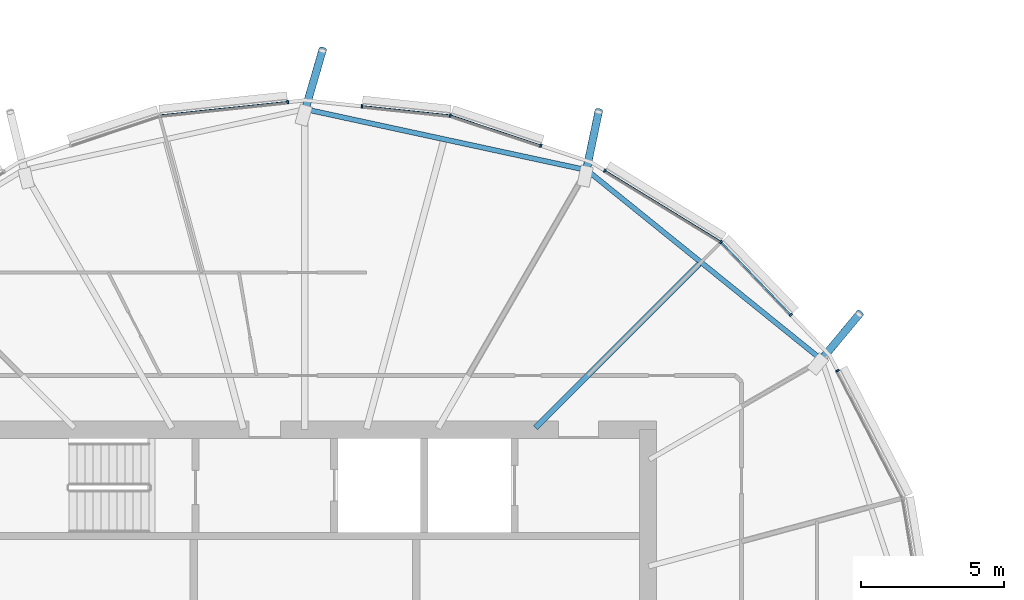
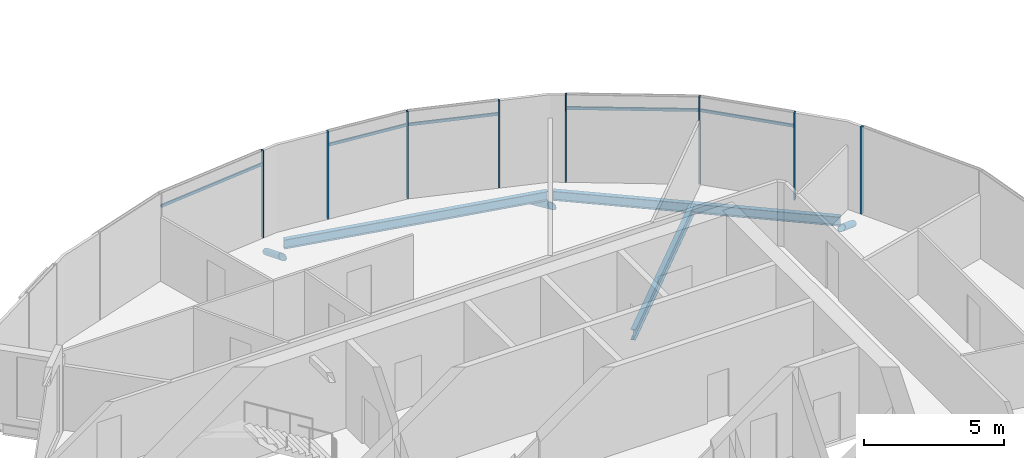
# One storey, part 11 of 38: 16 members, 3 beams, 1 element without a shape of its own.
"""IFC4 building model written with IfcOpenShell, lengths in metres."""

from ifc_helpers import new_model, si_unit, direction, frame, origin, origin_2d, place, context, subcontext, project, spatial, rectangle, hollow_circle, i_section, extrude, clip, halfspace, material, material_profile, profile_set, type_object, element, aggregate, save


model = new_model("IFC4")

# Units and contexts
model_context = context("Model", 3, precision=1e-05, world=origin(), true_north=direction((0.0, 1.0)))
body_context = subcontext(model_context, "Body", "Model", "MODEL_VIEW")
ifc_project = project(units=[si_unit("LENGTHUNIT", "METRE"), si_unit("AREAUNIT", "SQUARE_METRE"), si_unit("VOLUMEUNIT", "CUBIC_METRE"), si_unit("PLANEANGLEUNIT", "RADIAN"), si_unit("MASSUNIT", "GRAM", prefix="KILO")], contexts=[model_context])

# Site, building, storey
site_placement = place(None, origin())
site = spatial("IfcSite", under=ifc_project, at=site_placement, CompositionType="ELEMENT")
building_placement = place(site_placement, origin())
building = spatial("IfcBuilding", under=site, at=building_placement, Name="Rimbun Link Towers", CompositionType="ELEMENT")
storey_placement = place(building_placement, frame((0.0, 0.0, 185.5)))
storey = spatial("IfcBuildingStorey", under=building, at=storey_placement, Name="L45", CompositionType="ELEMENT", Elevation=185.5)

# Curtain wall, members
ifc_material_1 = material(Name="Aluminium 6063-T6 and low-iron glass", Category="aluminium")
curtain_wall_type = type_object("IfcCurtainWallType", Name="CW1-Z3 unitised vision wall (zone 3)", PredefinedType="NOTDEFINED", material=ifc_material_1)
curtain_wall_placement = place(storey_placement, origin())
curtain_wall = element("IfcCurtainWall", 1, at=curtain_wall_placement, inside=storey, type_object=curtain_wall_type, Name="CW1 L45 T1", PredefinedType="NOTDEFINED")
ifc_material_2 = material(Name="Aluminium 6063-T6", Category="aluminium")
ifc_material_profile_1 = material_profile(ifc_material_2, rectangle(XDim=0.1201171875, YDim=0.06005859375, at=origin_2d()), Name="MULLION 60X120")
ifc_profile_set_1 = profile_set([ifc_material_profile_1], Name="Aluminium 6063-T6")
member_type_1 = type_object("IfcMemberType", Name="CW1 mullion 60X120", PredefinedType="MULLION", material=ifc_profile_set_1)
member_1_placement = place(storey_placement, frame((-13.114013671875, 10.064208984375, 0.0), z_axis=(0.0, 0.0, 1.0), x_axis=(0.88814980284, 0.459554053094, 0.0)))
member_1 = element("IfcMember", 2, at=member_1_placement, type_object=member_type_1, Name="CW1 mullion", PredefinedType="MULLION", context=body_context, shape_type="SweptSolid", body=[
    extrude(rectangle(XDim=0.1201171875, YDim=0.06005859375, at=origin_2d()), origin(), (0.0, 0.0, 1.0), 3.800048828125),
])
member_2_placement = place(storey_placement, frame((-17.192626953125, 14.56640625, 0.0), z_axis=(0.0, 0.0, 1.0), x_axis=(0.627666301152, 0.778482507445, 0.0)))
member_2 = element("IfcMember", 3, at=member_2_placement, type_object=member_type_1, Name="CW1 mullion", PredefinedType="MULLION", context=body_context, shape_type="SweptSolid", body=[
    extrude(rectangle(XDim=0.1201171875, YDim=0.06005859375, at=origin_2d()), origin(), (0.0, 0.0, 1.0), 3.800048828125),
])
member_3_placement = place(storey_placement, frame((-14.749267578125, 12.018798828125, 0.0), z_axis=(0.0, 0.0, 1.0), x_axis=(0.721842893583, 0.692056960795, 0.0)))
member_3 = element("IfcMember", 4, at=member_3_placement, type_object=member_type_1, Name="CW1 mullion", PredefinedType="MULLION", context=body_context, shape_type="SweptSolid", body=[
    extrude(rectangle(XDim=0.1201171875, YDim=0.06005859375, at=origin_2d()), origin(), (0.0, 0.0, 1.0), 3.800048828125),
])
member_4_placement = place(storey_placement, frame((-21.2607421875, 17.06494140625, 0.0), z_axis=(0.0, 0.0, 1.0), x_axis=(0.523234516531, 0.852188735381, 0.0)))
member_4 = element("IfcMember", 5, at=member_4_placement, type_object=member_type_1, Name="CW1 mullion", PredefinedType="MULLION", context=body_context, shape_type="SweptSolid", body=[
    extrude(rectangle(XDim=0.1201171875, YDim=0.06005859375, at=origin_2d()), origin(), (0.0, 0.0, 1.0), 3.800048828125),
])
member_5_placement = place(storey_placement, frame((-26.664794921875, 18.989501953125, 0.0), z_axis=(0.0, 0.0, 1.0), x_axis=(0.210876961602, 0.977512612228, 0.0)))
member_5 = element("IfcMember", 6, at=member_5_placement, type_object=member_type_1, Name="CW1 mullion", PredefinedType="MULLION", context=body_context, shape_type="SweptSolid", body=[
    extrude(rectangle(XDim=0.1201171875, YDim=0.06005859375, at=origin_2d()), origin(), (0.0, 0.0, 1.0), 3.800048828125),
])
member_6_placement = place(storey_placement, frame((-23.498046875, 17.9404296875, 0.0), z_axis=(0.0, 0.0, 1.0), x_axis=(0.314564968894, 0.949235945561, 0.0)))
member_6 = element("IfcMember", 7, at=member_6_placement, type_object=member_type_1, Name="CW1 mullion", PredefinedType="MULLION", context=body_context, shape_type="SweptSolid", body=[
    extrude(rectangle(XDim=0.1201171875, YDim=0.06005859375, at=origin_2d()), origin(), (0.0, 0.0, 1.0), 3.800048828125),
])
member_7_placement = place(storey_placement, frame((-29.754638671875, 19.3154296875, 0.0), z_axis=(0.0, 0.0, 1.0), x_axis=(0.104753162451, 0.994498252868, 0.0)))
member_7 = element("IfcMember", 8, at=member_7_placement, type_object=member_type_1, Name="CW1 mullion", PredefinedType="MULLION", context=body_context, shape_type="SweptSolid", body=[
    extrude(rectangle(XDim=0.1201171875, YDim=0.06005859375, at=origin_2d()), origin(), (0.0, 0.0, 1.0), 3.800048828125),
])
member_8_placement = place(storey_placement, frame((-32.35302734375, 19.4619140625, 0.0), z_axis=(0.0, 0.0, 1.0), x_axis=(-0.104753162451, 0.994498252868, 0.0)))
member_8 = element("IfcMember", 9, at=member_8_placement, type_object=member_type_1, Name="CW1 mullion", PredefinedType="MULLION", context=body_context, shape_type="SweptSolid", body=[
    extrude(rectangle(XDim=0.1201171875, YDim=0.06005859375, at=origin_2d()), origin(), (0.0, 0.0, 1.0), 3.800048828125),
])
ifc_material_3 = material(Name="Aluminium 6063-T6", Category="aluminium")
ifc_material_profile_2 = material_profile(ifc_material_3, rectangle(XDim=0.06005859375, YDim=0.1201171875, at=origin_2d()), Name="TRANSOM 60X120")
ifc_profile_set_2 = profile_set([ifc_material_profile_2], Name="Aluminium 6063-T6")
member_type_2 = type_object("IfcMemberType", Name="CW1 transom 60X120", PredefinedType="USERDEFINED", material=ifc_profile_set_2)
member_9_placement = place(storey_placement, frame((-17.16748046875, 14.538330078125, 3.199951171875), z_axis=(0.692035533776, -0.721863435833, 0.0), x_axis=(0.721863435833, 0.692035533776, 0.0)))
member_9 = element("IfcMember", 10, at=member_9_placement, type_object=member_type_2, Name="CW1 transom", ObjectType="TRANSOM", PredefinedType="USERDEFINED", context=body_context, shape_type="SweptSolid", body=[
    extrude(rectangle(XDim=0.06005859375, YDim=0.1201171875, at=origin_2d()), origin(), (0.0, 0.0, 1.0), 3.462158203125),
])
member_10_placement = place(storey_placement, frame((-21.236328125, 17.047607421875, 3.199951171875), z_axis=(0.852193949053, -0.523226024962, 0.0), x_axis=(0.523226024962, 0.852193949053, 0.0)))
member_10 = element("IfcMember", 11, at=member_10_placement, type_object=member_type_2, Name="CW1 transom", ObjectType="TRANSOM", PredefinedType="USERDEFINED", context=body_context, shape_type="SweptSolid", body=[
    extrude(rectangle(XDim=0.06005859375, YDim=0.1201171875, at=origin_2d()), origin(), (0.0, 0.0, 1.0), 4.70654296875),
])
member_11_placement = place(storey_placement, frame((-26.630859375, 18.9765625, 3.199951171875), z_axis=(0.949234381541, -0.314569688463, 0.0), x_axis=(0.314569688463, 0.949234381541, 0.0)))
member_11 = element("IfcMember", 12, at=member_11_placement, type_object=member_type_2, Name="CW1 transom", ObjectType="TRANSOM", PredefinedType="USERDEFINED", context=body_context, shape_type="SweptSolid", body=[
    extrude(rectangle(XDim=0.06005859375, YDim=0.1201171875, at=origin_2d()), origin(), (0.0, 0.0, 1.0), 3.269775390625),
])
member_12_placement = place(storey_placement, frame((-29.72509765625, 19.310302734375, 3.199951171875), z_axis=(0.994495329298, -0.104780914317, 0.0), x_axis=(0.104780914317, 0.994495329298, 0.0)))
member_12 = element("IfcMember", 13, at=member_12_placement, type_object=member_type_2, Name="CW1 transom", ObjectType="TRANSOM", PredefinedType="USERDEFINED", context=body_context, shape_type="SweptSolid", body=[
    extrude(rectangle(XDim=0.06005859375, YDim=0.1201171875, at=origin_2d()), origin(), (0.0, 0.0, 1.0), 3.040771484375),
])
member_13_placement = place(storey_placement, frame((-36.798828125, 18.99169921875, 3.199951171875), z_axis=(0.994500330476, 0.104733436318, 0.0), x_axis=(-0.104733436318, 0.994500330476, 0.0)))
member_13 = element("IfcMember", 14, at=member_13_placement, type_object=member_type_2, Name="CW1 transom", ObjectType="TRANSOM", PredefinedType="USERDEFINED", context=body_context, shape_type="SweptSolid", body=[
    extrude(rectangle(XDim=0.06005859375, YDim=0.1201171875, at=origin_2d()), origin(), (0.0, 0.0, 1.0), 4.440673828125),
])
aggregate(curtain_wall, [member_1, member_2, member_3, member_4, member_5, member_6, member_7, member_8, member_9, member_10, member_11, member_12, member_13])

# Members
ifc_material_4 = material(Name="Steel S355J2H", Category="steel")
ifc_material_profile_3 = material_profile(ifc_material_4, hollow_circle(Radius=0.136474609375, WallThickness=0.012451171875, at=origin_2d()), Name="CHS 273x12.5")
ifc_profile_set_3 = profile_set([ifc_material_profile_3], Name="Steel S355J2H")
member_type_3 = type_object("IfcMemberType", Name="Floor edge link CHS 273x12.5", PredefinedType="BRACE", material=ifc_profile_set_3)
member_14_placement = place(storey_placement, frame((-13.709228515625, 10.416015625, -0.62109375), z_axis=(0.545455804483, 0.656165700147, -0.52146384276), x_axis=(-0.768998208162, 0.639250933393, 0.0)))
element("IfcMember", 15, at=member_14_placement, inside=storey, type_object=member_type_3, Name="Floor edge link T1 L45 02", PredefinedType="BRACE", context=body_context, shape_type="Clipping", body=[
    clip(extrude(hollow_circle(Radius=0.136474609375, WallThickness=0.012451171875, at=origin_2d()), frame((0.0, 0.0, -0.4658203125)), (0.0, 0.0, 1.0), 2.999755859375), halfspace(frame((0.0, 0.0, -0.21875), z_axis=(0.0, 0.853273379811, -0.52146384276)), False)),
])
member_15_placement = place(storey_placement, frame((-21.91357421875, 17.037109375, -0.80126953125), z_axis=(0.17797622963, 0.850504151013, -0.494941563012), x_axis=(-0.978798993627, 0.204823167816, 0.0)))
element("IfcMember", 16, at=member_15_placement, inside=storey, type_object=member_type_3, Name="Floor edge link T1 L45 04", PredefinedType="BRACE", context=body_context, shape_type="Clipping", body=[
    clip(extrude(hollow_circle(Radius=0.136474609375, WallThickness=0.012451171875, at=origin_2d()), frame((0.0, 0.0, -0.49951171875)), (0.0, 0.0, 1.0), 3.00439453125), halfspace(frame((0.0, 0.0, -0.234619140625), z_axis=(0.0, 0.868926262236, -0.494941563012)), False)),
])
member_16_placement = place(storey_placement, frame((-31.75, 19.163818359375, -0.8701171875), z_axis=(0.241203194368, 0.829459988449, -0.503802686166), x_axis=(-0.96022455755, 0.279228936678, 0.0)))
element("IfcMember", 17, at=member_16_placement, inside=storey, type_object=member_type_3, Name="Floor edge link T1 L45 06", PredefinedType="BRACE", context=body_context, shape_type="Clipping", body=[
    clip(extrude(hollow_circle(Radius=0.136474609375, WallThickness=0.012451171875, at=origin_2d()), frame((0.0, 0.0, -0.488037109375)), (0.0, 0.0, 1.0), 3.078125), halfspace(frame((0.0, 0.0, -0.229248046875), z_axis=(0.0, 0.863818761901, -0.503802686166)), False)),
])

# Beams
ifc_material_5 = material(Name="Steel S355J2", Category="steel")
ifc_material_profile_4 = material_profile(ifc_material_5, i_section(OverallWidth=0.177978515625, OverallDepth=0.406494140625, WebThickness=0.0078125, FlangeThickness=0.0126953125, at=origin_2d()), Name="UB 406x178x60")
ifc_profile_set_4 = profile_set([ifc_material_profile_4], Name="Steel S355J2")
beam_type_1 = type_object("IfcBeamType", Name="UB 406x178x60", PredefinedType="BEAM", material=ifc_profile_set_4)
beam_1_placement = place(storey_placement, frame((-13.73828125, 10.499267578125, -0.353271484375), z_axis=(-0.778016870357, 0.62824338392, 0.0), x_axis=(-0.62824338392, -0.778016870357, 0.0)))
element("IfcBeam", 18, at=beam_1_placement, inside=storey, type_object=beam_type_1, Name="Edge beam T1 L45 02-04", PredefinedType="BEAM", context=body_context, shape_type="SweptSolid", body=[
    extrude(i_section(OverallWidth=0.177978515625, OverallDepth=0.406494140625, WebThickness=0.0078125, FlangeThickness=0.0126953125, at=origin_2d()), origin(), (0.0, 0.0, 1.0), 10.368896484375),
])
beam_2_placement = place(storey_placement, frame((-21.9970703125, 17.10400390625, -0.353271484375), z_axis=(-0.977392598687, 0.211432514129, 0.0), x_axis=(-0.211432514129, -0.977392598687, 0.0)))
element("IfcBeam", 19, at=beam_2_placement, inside=storey, type_object=beam_type_1, Name="Edge beam T1 L45 04-06", PredefinedType="BEAM", context=body_context, shape_type="SweptSolid", body=[
    extrude(i_section(OverallWidth=0.177978515625, OverallDepth=0.406494140625, WebThickness=0.0078125, FlangeThickness=0.0126953125, at=origin_2d()), origin(), (0.0, 0.0, 1.0), 9.861083984375),
])
ifc_material_6 = material(Name="Steel S355J2", Category="steel")
ifc_material_profile_5 = material_profile(ifc_material_6, i_section(OverallWidth=0.18994140625, OverallDepth=0.453369140625, WebThickness=0.008544921875, FlangeThickness=0.0126953125, at=origin_2d()), Name="UB 457x191x67")
ifc_profile_set_5 = profile_set([ifc_material_profile_5], Name="Steel S355J2")
beam_type_2 = type_object("IfcBeamType", Name="UB 457x191x67", PredefinedType="BEAM", material=ifc_profile_set_5)
beam_3_placement = place(storey_placement, frame((-23.68212890625, 8.06787109375, -0.376708984375), z_axis=(0.707106781187, 0.707106781187, 0.0), x_axis=(-0.707106781187, 0.707106781187, 0.0)))
element("IfcBeam", 20, at=beam_3_placement, inside=storey, type_object=beam_type_2, Name="Radial beam T1 L45 03", PredefinedType="BEAM", context=body_context, shape_type="SweptSolid", body=[
    extrude(i_section(OverallWidth=0.18994140625, OverallDepth=0.453369140625, WebThickness=0.008544921875, FlangeThickness=0.0126953125, at=origin_2d()), origin(), (0.0, 0.0, 1.0), 8.094482421875),
])

save(model, "model.ifc")
